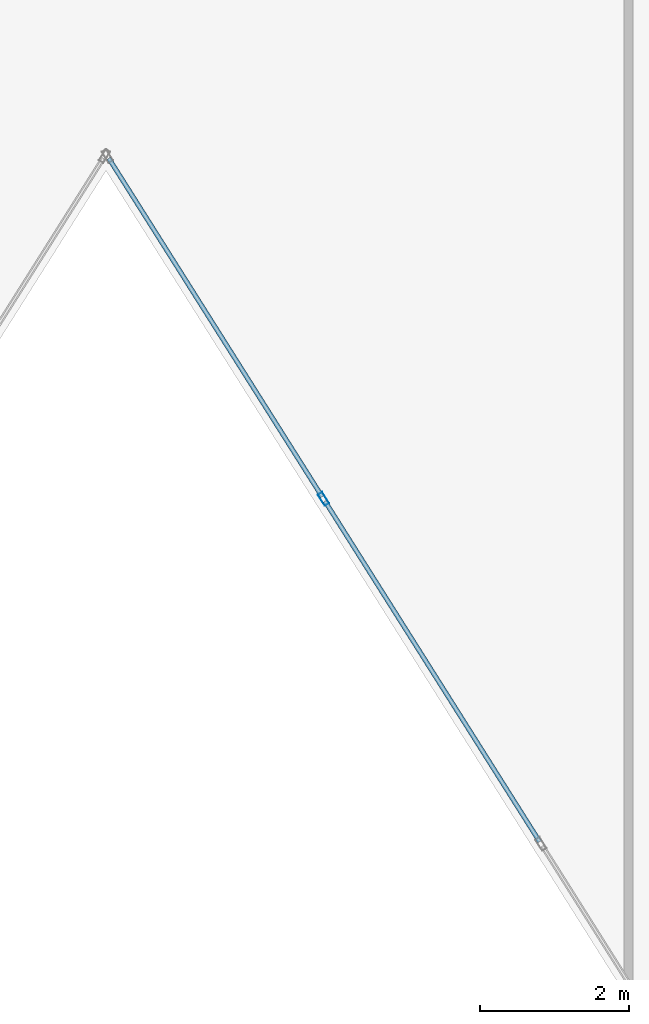
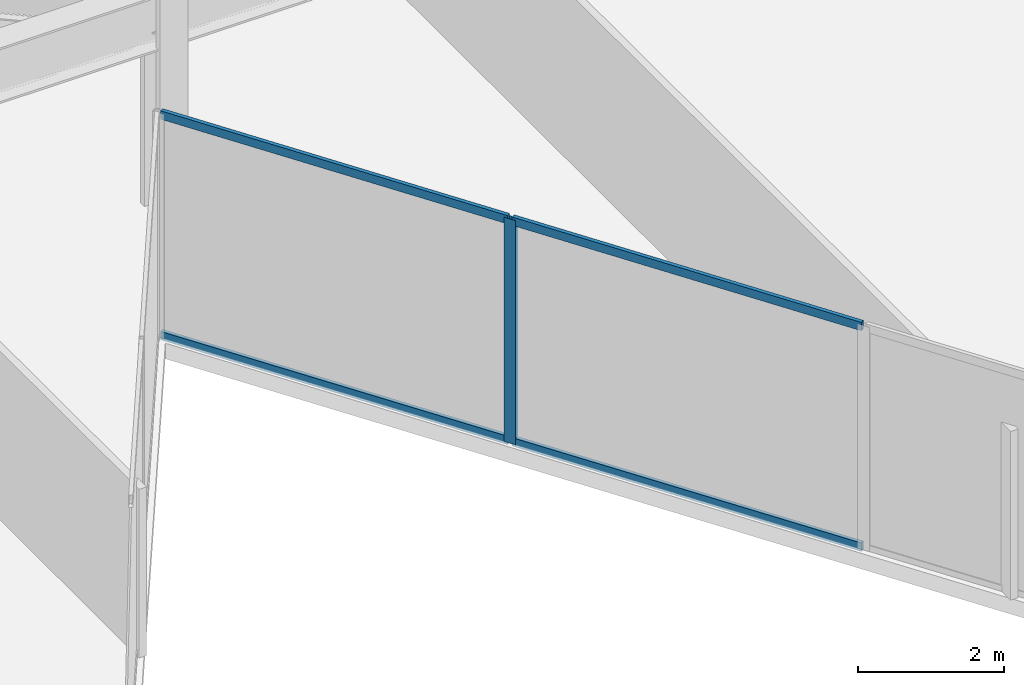
# One storey, part 15 of 24: 5 members, 1 element without a shape of its own.
"""IFC4 building model written with IfcOpenShell, lengths in metres."""

from ifc_helpers import new_model, si_unit, direction, frame, origin, origin_2d, place, context, subcontext, project, spatial, hollow_rectangle, extrude, material, layer, layer_set, material_profile, profile_set, type_object, element, aggregate, save


model = new_model("IFC4")

# Units and contexts
model_context = context("Model", 3, precision=1e-05, world=origin(), true_north=direction((0.0, 1.0)))
body_context = subcontext(model_context, "Body", "Model", "MODEL_VIEW")
ifc_project = project(units=[si_unit("LENGTHUNIT", "METRE"), si_unit("AREAUNIT", "SQUARE_METRE"), si_unit("VOLUMEUNIT", "CUBIC_METRE"), si_unit("PLANEANGLEUNIT", "RADIAN"), si_unit("MASSUNIT", "GRAM", prefix="KILO")], contexts=[model_context])

# Site, building, storey
site_placement = place(None, origin())
site = spatial("IfcSite", under=ifc_project, at=site_placement, CompositionType="ELEMENT")
building_placement = place(site_placement, origin())
building = spatial("IfcBuilding", under=site, at=building_placement, Name="Kravanh Interchange Tower", CompositionType="ELEMENT")
storey_placement = place(building_placement, frame((0.0, 0.0, 37.5)))
storey = spatial("IfcBuildingStorey", under=building, at=storey_placement, Name="L08", CompositionType="ELEMENT", Elevation=37.5)

# Curtain wall, members
ifc_material_1 = material(Name="Anodised Bronze Aluminium", Category="aluminium")
ifc_layer = layer(ifc_material_1, 0.179931640625)
ifc_layer_set = layer_set([ifc_layer], Name="Unitised Curtain Wall System CW-Z1 Lower Office")
curtain_wall_type = type_object("IfcCurtainWallType", Name="Unitised Curtain Wall System CW-Z1 Lower Office", PredefinedType="NOTDEFINED", material=ifc_layer_set)
curtain_wall_placement = place(storey_placement, origin())
curtain_wall = element("IfcCurtainWall", 1, at=curtain_wall_placement, inside=storey, type_object=curtain_wall_type, Name="L08 Unitised Curtain Wall CW-L08-04", PredefinedType="NOTDEFINED")
ifc_material_2 = material(Name="Anodised Bronze Aluminium", Category="aluminium")
ifc_material_profile_1 = material_profile(ifc_material_2, hollow_rectangle(XDim=0.070068359375, YDim=0.179931640625, WallThickness=0.00390625, at=origin_2d()), Name="ALU70X180X4")
ifc_profile_set_1 = profile_set([ifc_material_profile_1], Name="Anodised Bronze Aluminium")
member_type_1 = type_object("IfcMemberType", Name="Curtain Wall Mullion ALU70X180X4 Bronze", PredefinedType="MULLION", material=ifc_profile_set_1)
member_1_placement = place(storey_placement, frame((39.913330078125, 19.60400390625, 0.0), z_axis=(0.0, 0.0, 1.0), x_axis=(-0.845925530786, -0.53330103728, 0.0)))
member_1 = element("IfcMember", 2, at=member_1_placement, type_object=member_type_1, Name="CW-Z1 mullion 5", PredefinedType="MULLION", context=body_context, shape_type="SweptSolid", body=[
    extrude(hollow_rectangle(XDim=0.070068359375, YDim=0.179931640625, WallThickness=0.00390625, at=origin_2d()), origin(), (0.0, 0.0, 1.0), 3.739990234375),
])
ifc_material_3 = material(Name="Anodised Bronze Aluminium", Category="aluminium")
ifc_material_profile_2 = material_profile(ifc_material_3, hollow_rectangle(XDim=0.06005859375, YDim=0.139892578125, WallThickness=0.00390625, at=origin_2d()), Name="ALU60X140X4")
ifc_profile_set_2 = profile_set([ifc_material_profile_2], Name="Anodised Bronze Aluminium")
member_type_2 = type_object("IfcMemberType", Name="Curtain Wall Transom ALU60X140X4 Bronze", PredefinedType="USERDEFINED", material=ifc_profile_set_2)
member_2_placement = place(storey_placement, frame((42.807861328125, 15.0126953125, 0.030029296875), z_axis=(-0.533311487456, 0.84591894254, 0.0), x_axis=(-0.84591894254, -0.533311487456, 0.0)))
member_2 = element("IfcMember", 3, at=member_2_placement, type_object=member_type_2, Name="CW-Z1 transom 4.1", ObjectType="TRANSOM", PredefinedType="USERDEFINED", context=body_context, shape_type="SweptSolid", body=[
    extrude(hollow_rectangle(XDim=0.06005859375, YDim=0.139892578125, WallThickness=0.00390625, at=origin_2d()), origin(), (0.0, 0.0, 1.0), 5.392578125),
])
member_3_placement = place(storey_placement, frame((42.807861328125, 15.0126953125, 3.7099609375), z_axis=(-0.533311487456, 0.84591894254, 0.0), x_axis=(-0.84591894254, -0.533311487456, 0.0)))
member_3 = element("IfcMember", 4, at=member_3_placement, type_object=member_type_2, Name="CW-Z1 transom 4.2", ObjectType="TRANSOM", PredefinedType="USERDEFINED", context=body_context, shape_type="SweptSolid", body=[
    extrude(hollow_rectangle(XDim=0.06005859375, YDim=0.139892578125, WallThickness=0.00390625, at=origin_2d()), origin(), (0.0, 0.0, 1.0), 5.392578125),
])
member_4_placement = place(storey_placement, frame((39.89453125, 19.633544921875, 0.030029296875), z_axis=(-0.533288163518, 0.845933646719, 0.0), x_axis=(-0.845933646719, -0.533288163518, 0.0)))
member_4 = element("IfcMember", 5, at=member_4_placement, type_object=member_type_2, Name="CW-Z1 transom 5.1", ObjectType="TRANSOM", PredefinedType="USERDEFINED", context=body_context, shape_type="SweptSolid", body=[
    extrude(hollow_rectangle(XDim=0.06005859375, YDim=0.139892578125, WallThickness=0.00390625, at=origin_2d()), origin(), (0.0, 0.0, 1.0), 5.357666015625),
])
member_5_placement = place(storey_placement, frame((39.89453125, 19.633544921875, 3.7099609375), z_axis=(-0.533288163518, 0.845933646719, 0.0), x_axis=(-0.845933646719, -0.533288163518, 0.0)))
member_5 = element("IfcMember", 6, at=member_5_placement, type_object=member_type_2, Name="CW-Z1 transom 5.2", ObjectType="TRANSOM", PredefinedType="USERDEFINED", context=body_context, shape_type="SweptSolid", body=[
    extrude(hollow_rectangle(XDim=0.06005859375, YDim=0.139892578125, WallThickness=0.00390625, at=origin_2d()), origin(), (0.0, 0.0, 1.0), 5.357666015625),
])
aggregate(curtain_wall, [member_1, member_2, member_3, member_4, member_5])

save(model, "model.ifc")
